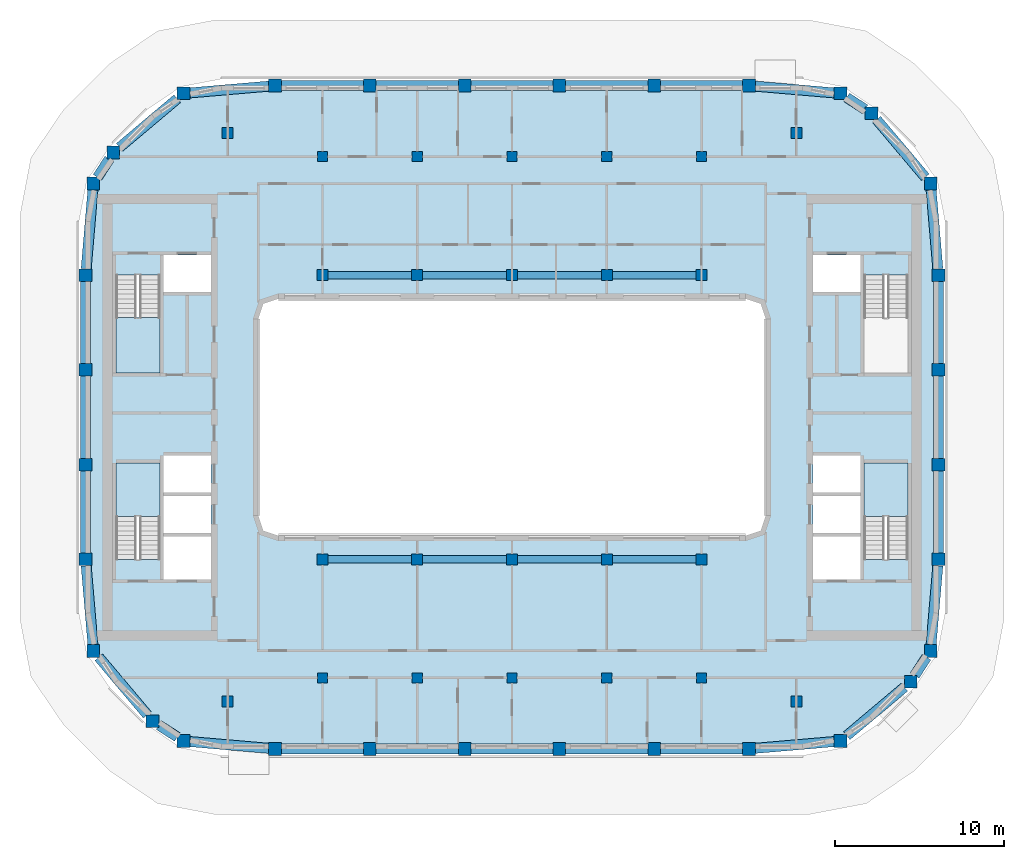
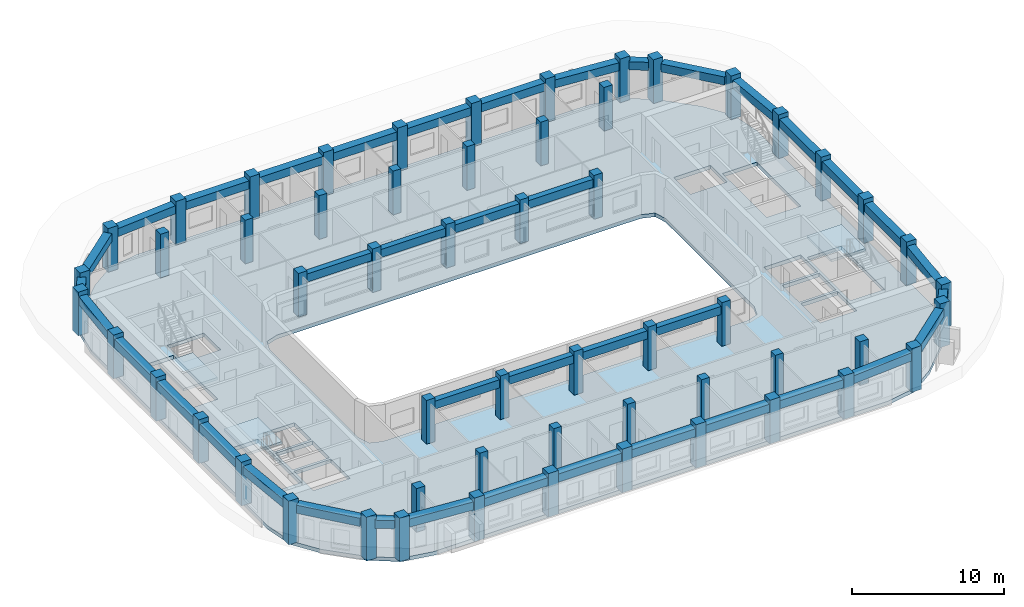
# One storey, part 1 of 14: 56 columns, 40 beams, 4 slabs, 3 elements without a shape of their own.
"""IFC4 building model written with IfcOpenShell, lengths in metres."""

import ifcopenshell
import ifcopenshell.guid

model = None  # the IFC model being written
_history = None  # IfcOwnerHistory: only IFC2X3 demands one
_inside = {}  # id of a spatial element -> (the spatial element, [elements in it])
_under = {}  # id of a project, library or spatial element -> (it, [spatial elements below it])
_declared = {}  # id of a project -> (the project, [libraries it declares])
_typed = {}  # id of a type object -> (the type object, [elements of that type])
_made_of = {}  # id of a material, layer set ... -> (it, [elements and type objects made of it])


def new_model(schema):
    """Start an empty IFC model of exactly this schema.

    Asked for "IFC4X3", IfcOpenShell would pick the latest addendum, in which some entities
    have other attributes; the version numbers below select the first issue.
    IFC2X3 requires an IfcOwnerHistory on every rooted entity: one is made here for all.
    """
    global model, _history
    if schema == "IFC4X3":
        model = ifcopenshell.file(schema_version=(4, 3, 0, 0))
    else:
        model = ifcopenshell.file(schema=schema)
    _inside.clear()
    _under.clear()
    _declared.clear()
    _typed.clear()
    _made_of.clear()
    _history = None
    if model.schema == "IFC2X3":
        org = make("IfcOrganization", Name="unknown")
        user = make(
            "IfcPersonAndOrganization",
            ThePerson=make("IfcPerson", FamilyName="unknown"),
            TheOrganization=org,
        )
        app = make(
            "IfcApplication",
            ApplicationDeveloper=org,
            Version="unknown",
            ApplicationFullName="unknown",
            ApplicationIdentifier="unknown",
        )
        _history = make(
            "IfcOwnerHistory",
            OwningUser=user,
            OwningApplication=app,
            ChangeAction="ADDED",
            CreationDate=0,
        )
    return model


def make(cls, **values):
    """One entity of the class cls with the attributes given. An attribute that is None is left unset."""
    return model.create_entity(
        cls, **{name: value for name, value in values.items() if value is not None}
    )


def rooted(cls, **values):
    """An entity with a GlobalId (a new one), such as an element, a storey or a relation."""
    return make(cls, GlobalId=ifcopenshell.guid.new(), OwnerHistory=_history, **values)


def si_unit(unit_type, name, prefix=None):
    """IfcSIUnit, for example si_unit("LENGTHUNIT", "METRE", prefix="MILLI")."""
    return make("IfcSIUnit", UnitType=unit_type, Prefix=prefix, Name=name)


def assignment(units):
    """IfcUnitAssignment: the units of a project."""
    return None if units is None else make("IfcUnitAssignment", Units=units)


def point(xyz):
    """IfcCartesianPoint."""
    return None if xyz is None else make("IfcCartesianPoint", Coordinates=xyz)


def direction(xyz):
    """IfcDirection."""
    return None if xyz is None else make("IfcDirection", DirectionRatios=xyz)


def frame(location, z_axis=None, x_axis=None):
    """IfcAxis2Placement3D, a coordinate frame: its origin and axes. An axis left out is left unset."""
    return make(
        "IfcAxis2Placement3D",
        Location=point(location),
        Axis=direction(z_axis),
        RefDirection=direction(x_axis),
    )


def frame_2d(location, x_axis=None):
    """IfcAxis2Placement2D, a coordinate frame in the plane: its origin and x axis."""
    return make(
        "IfcAxis2Placement2D", Location=point(location), RefDirection=direction(x_axis)
    )


def origin():
    """The frame at (0, 0, 0) with its axes left unset."""
    return frame((0.0, 0.0, 0.0))


def origin_2d():
    """The frame at (0, 0) in the plane with its x axis left unset."""
    return frame_2d((0.0, 0.0))


def place(relative_to, where):
    """IfcLocalPlacement: puts the frame where relative to a parent placement (None: the world)."""
    return make(
        "IfcLocalPlacement", PlacementRelTo=relative_to, RelativePlacement=where
    )


def context(
    kind, dimensions, precision=None, world=None, true_north=None, identifier=None
):
    """IfcGeometricRepresentationContext, for example the 3D "Model" context."""
    return make(
        "IfcGeometricRepresentationContext",
        ContextIdentifier=identifier,
        ContextType=kind,
        CoordinateSpaceDimension=dimensions,
        Precision=precision,
        WorldCoordinateSystem=world,
        TrueNorth=true_north,
    )


def subcontext(parent, identifier, kind, view, scale=None):
    """IfcGeometricRepresentationSubContext, for example "Body" below "Model"."""
    return make(
        "IfcGeometricRepresentationSubContext",
        ContextIdentifier=identifier,
        ContextType=kind,
        ParentContext=parent,
        TargetScale=scale,
        TargetView=view,
    )


def project(units=None, contexts=None):
    """IfcProject with its units and contexts."""
    return rooted(
        "IfcProject",
        Name="project",
        RepresentationContexts=contexts,
        UnitsInContext=assignment(units),
    )


def spatial(cls, under=None, at=None, **own):
    """A site, building, storey or space (cls), placed at a placement, below another one or the project."""
    s = rooted(cls, ObjectPlacement=at, **own)
    if under is not None:
        _under.setdefault(under.id(), (under, []))[1].append(s)
    return s


def polyline(points):
    """IfcPolyline through the points."""
    return make("IfcPolyline", Points=[point(p) for p in points])


def profile(cls, at=None, kind="AREA", **sizes):
    """A parametric profile (cls). Its sizes go by their IFC names, for example OverallWidth=200.0."""
    return make(cls, ProfileType=kind, Position=at, **sizes)


def rectangle(**sizes):
    """IfcRectangleProfileDef."""
    return profile("IfcRectangleProfileDef", **sizes)


def outline(outer, holes=None, kind="AREA"):
    """IfcArbitraryClosedProfileDef: a profile drawn as a closed curve; with holes, ...WithVoids."""
    if holes is None:
        return make("IfcArbitraryClosedProfileDef", ProfileType=kind, OuterCurve=outer)
    return make(
        "IfcArbitraryProfileDefWithVoids",
        ProfileType=kind,
        OuterCurve=outer,
        InnerCurves=holes,
    )


def extrude(swept, where, along, depth):
    """IfcExtrudedAreaSolid: the profile swept, set in the frame where, extruded along a direction by depth."""
    return make(
        "IfcExtrudedAreaSolid",
        SweptArea=swept,
        Position=where,
        ExtrudedDirection=direction(along),
        Depth=depth,
    )


def shape(context_of_items, identifier, shape_type, items):
    """IfcShapeRepresentation: the items that make up one representation, for example the "Body"."""
    return make(
        "IfcShapeRepresentation",
        ContextOfItems=context_of_items,
        RepresentationIdentifier=identifier,
        RepresentationType=shape_type,
        Items=items,
    )


def material(Name=None, Category=None):
    """IfcMaterial."""
    return make("IfcMaterial", Name=Name, Category=Category)


def layer(
    of_material, thickness, ventilated=None, Name=None, Category=None, Priority=None
):
    """IfcMaterialLayer: one layer of a wall or slab, of a material (None: an air gap)."""
    return make(
        "IfcMaterialLayer",
        Material=of_material,
        LayerThickness=thickness,
        IsVentilated=ventilated,
        Name=Name,
        Category=Category,
        Priority=Priority,
    )


def layer_set(layers, Name=None):
    """IfcMaterialLayerSet."""
    return make("IfcMaterialLayerSet", MaterialLayers=layers, LayerSetName=Name)


def material_profile(
    of_material, cross_section, Name=None, Category=None, Priority=None
):
    """IfcMaterialProfile: a cross section and its material."""
    return make(
        "IfcMaterialProfile",
        Name=Name,
        Material=of_material,
        Profile=cross_section,
        Priority=Priority,
        Category=Category,
    )


def profile_set(profiles, Name=None, composite=None):
    """IfcMaterialProfileSet."""
    return make(
        "IfcMaterialProfileSet",
        Name=Name,
        MaterialProfiles=profiles,
        CompositeProfile=composite,
    )


def made_of(thing, what):
    """Note that an element or type object is made of a material, layer set ...; save() writes the relation."""
    if what is not None:
        _made_of.setdefault(what.id(), (what, []))[1].append(thing)
    return thing


def type_object(cls, material=None, **own):
    """A type object (cls), such as IfcWallType, which elements share."""
    return made_of(rooted(cls, **own), material)


def element(
    cls,
    number,
    at=None,
    inside=None,
    cuts=None,
    type_object=None,
    material=None,
    context=None,
    identifier="Body",
    shape_type=None,
    held_by="IfcProductDefinitionShape",
    body=None,
    shapes=None,
    **own,
):
    """One element of the class cls, such as IfcWall. Its Tag is "e" and its number.

    at: its placement. inside: the storey or other place that contains it. cuts: it is an
    opening in that element (IfcRelVoidsElement). A single representation is given by context,
    identifier, shape_type and body (its items); several are given by shapes. held_by: the class
    of the entity that holds the representations. save() writes the other relations.
    """
    e = rooted(cls, Tag="e%d" % number, ObjectPlacement=at, **own)
    if body is not None:
        shapes = [shape(context, identifier, shape_type, body)]
    if shapes is not None:
        e.Representation = make(held_by, Representations=shapes)
    if inside is not None:
        _inside.setdefault(inside.id(), (inside, []))[1].append(e)
    if cuts is not None:
        rooted(
            "IfcRelVoidsElement", RelatingBuildingElement=cuts, RelatedOpeningElement=e
        )
    if type_object is not None:
        _typed.setdefault(type_object.id(), (type_object, []))[1].append(e)
    return made_of(e, material)


def aggregate(whole, parts):
    """IfcRelAggregates: a whole, such as a stair, and the parts it consists of."""
    return rooted("IfcRelAggregates", RelatingObject=whole, RelatedObjects=parts)


def save(model, path):
    """Write the relations noted so far, then the file.

    IfcRelAggregates (storeys below a building ...), IfcRelContainedInSpatialStructure (elements
    in a storey), IfcRelDefinesByType, IfcRelAssociatesMaterial and IfcRelDeclares: one each for
    every whole, place, type object, material and project.
    """
    for whole, parts in _under.values():
        aggregate(whole, parts)
    for where, things in _inside.values():
        rooted(
            "IfcRelContainedInSpatialStructure",
            RelatedElements=things,
            RelatingStructure=where,
        )
    for kind, things in _typed.values():
        rooted("IfcRelDefinesByType", RelatedObjects=things, RelatingType=kind)
    for what, things in _made_of.values():
        rooted("IfcRelAssociatesMaterial", RelatedObjects=things, RelatingMaterial=what)
    for by, libraries in _declared.values():
        rooted("IfcRelDeclares", RelatingContext=by, RelatedDefinitions=libraries)
    model.write(path)


model = new_model("IFC4")

# Units and contexts
model_context = context("Model", 3, precision=1e-05, world=origin(), true_north=direction((0.0, 1.0)))
body_context = subcontext(model_context, "Body", "Model", "MODEL_VIEW")
ifc_project = project(units=[si_unit("LENGTHUNIT", "METRE"), si_unit("AREAUNIT", "SQUARE_METRE"), si_unit("VOLUMEUNIT", "CUBIC_METRE"), si_unit("PLANEANGLEUNIT", "RADIAN"), si_unit("MASSUNIT", "GRAM", prefix="KILO")], contexts=[model_context])

# Site, building, storey
site_placement = place(None, origin())
site = spatial("IfcSite", under=ifc_project, at=site_placement, CompositionType="ELEMENT")
building_placement = place(site_placement, origin())
building = spatial("IfcBuilding", under=site, at=building_placement, Name="Kiln Ring Residences", CompositionType="ELEMENT")
storey_placement = place(building_placement, frame((0.0, 0.0, 280.199951171875)))
storey = spatial("IfcBuildingStorey", under=building, at=storey_placement, Name="L73", CompositionType="ELEMENT", Elevation=280.199951171875)

# Columns
ifc_material_1 = material(Name="Concrete C60/75", Category="concrete")
ifc_material_profile_1 = material_profile(ifc_material_1, rectangle(XDim=0.60009765625, YDim=0.60009765625, at=origin_2d()), Name="RC600x600")
ifc_profile_set_1 = profile_set([ifc_material_profile_1], Name="Concrete C60/75")
column_type_1 = type_object("IfcColumnType", Name="Corridor column RC600x600 C60/75", PredefinedType="COLUMN", material=ifc_profile_set_1)
for number, where, z_axis, x_axis, name in (
    (1, (-11.199951171875, 15.39990234375, 0.0), (0.0, 0.0, 1.0), (1.0, 0.0, 0.0), "Corridor column L73 1"),
    (2, (-5.60009765625, 15.39990234375, 0.0), (0.0, 0.0, 1.0), (1.0, 0.0, 0.0), "Corridor column L73 2"),
    (3, (0.0, 15.39990234375, 0.0), (0.0, 0.0, 1.0), (1.0, 0.0, 0.0), "Corridor column L73 3"),
    (4, (5.60009765625, 15.39990234375, 0.0), (0.0, 0.0, 1.0), (1.0, 0.0, 0.0), "Corridor column L73 4"),
    (5, (11.199951171875, 15.39990234375, 0.0), (0.0, 0.0, 1.0), (1.0, 0.0, 0.0), "Corridor column L73 5"),
    (6, (-11.199951171875, -15.39990234375, 0.0), (0.0, 0.0, 1.0), (1.0, 0.0, 0.0), "Corridor column L73 6"),
    (7, (-5.60009765625, -15.39990234375, 0.0), (0.0, 0.0, 1.0), (1.0, 0.0, 0.0), "Corridor column L73 7"),
    (8, (0.0, -15.39990234375, 0.0), (0.0, 0.0, 1.0), (1.0, 0.0, 0.0), "Corridor column L73 8"),
    (9, (5.60009765625, -15.39990234375, 0.0), (0.0, 0.0, 1.0), (1.0, 0.0, 0.0), "Corridor column L73 9"),
    (10, (11.199951171875, -15.39990234375, 0.0), (0.0, 0.0, 1.0), (1.0, 0.0, 0.0), "Corridor column L73 10"),
):
    element("IfcColumn", number, at=place(storey_placement, frame(where, z_axis=z_axis, x_axis=x_axis)), inside=storey, type_object=column_type_1, Name=name, PredefinedType="COLUMN", context=body_context, shape_type="SweptSolid", body=[
        extrude(rectangle(XDim=0.60009765625, YDim=0.60009765625, at=origin_2d()), origin(), (0.0, 0.0, 1.0), 3.5),
    ])
ifc_material_2 = material(Name="Concrete C60/75", Category="concrete")
ifc_material_profile_2 = material_profile(ifc_material_2, rectangle(XDim=0.75, YDim=0.75, at=origin_2d()), Name="RC750x750")
ifc_profile_set_2 = profile_set([ifc_material_profile_2], Name="Concrete C60/75")
column_type_2 = type_object("IfcColumnType", Name="Perimeter column RC750x750 C60/75", PredefinedType="COLUMN", material=ifc_profile_set_2)
for number, where, z_axis, x_axis, name in (
    (11, (-19.40869140625, -19.13818359375, 0.0), (0.0, 0.0, 1.0), (1.0, 0.0, 0.0), "Perimeter column L73 1"),
    (12, (-14.0, -19.60009765625, 0.0), (0.0, 0.0, 1.0), (1.0, 0.0, 0.0), "Perimeter column L73 2"),
    (13, (-8.39990234375, -19.60009765625, 0.0), (0.0, 0.0, 1.0), (1.0, 0.0, 0.0), "Perimeter column L73 3"),
    (14, (-2.800048828125, -19.60009765625, 0.0), (0.0, 0.0, 1.0), (1.0, 0.0, 0.0), "Perimeter column L73 4"),
    (15, (2.800048828125, -19.60009765625, 0.0), (0.0, 0.0, 1.0), (1.0, 0.0, 0.0), "Perimeter column L73 5"),
    (16, (8.39990234375, -19.60009765625, 0.0), (0.0, 0.0, 1.0), (1.0, 0.0, 0.0), "Perimeter column L73 6"),
    (17, (14.0, -19.60009765625, 0.0), (0.0, 0.0, 1.0), (1.0, 0.0, 0.0), "Perimeter column L73 7"),
    (18, (19.40869140625, -19.13818359375, 0.0), (0.0, 0.0, 1.0), (1.0, 0.0, 0.0), "Perimeter column L73 8"),
    (19, (23.559814453125, -15.64013671875, 0.0), (0.0, 0.0, 1.0), (1.0, 0.0, 0.0), "Perimeter column L73 9"),
    (20, (24.738037109375, -13.80859375, 0.0), (0.0, 0.0, 1.0), (1.0, 0.0, 0.0), "Perimeter column L73 10"),
    (21, (25.199951171875, -8.39990234375, 0.0), (0.0, 0.0, 1.0), (1.0, 0.0, 0.0), "Perimeter column L73 11"),
    (22, (25.199951171875, -2.800048828125, 0.0), (0.0, 0.0, 1.0), (1.0, 0.0, 0.0), "Perimeter column L73 12"),
    (23, (25.199951171875, 2.800048828125, 0.0), (0.0, 0.0, 1.0), (1.0, 0.0, 0.0), "Perimeter column L73 13"),
    (24, (25.199951171875, 8.39990234375, 0.0), (0.0, 0.0, 1.0), (1.0, 0.0, 0.0), "Perimeter column L73 14"),
    (25, (24.738037109375, 13.80859375, 0.0), (0.0, 0.0, 1.0), (1.0, 0.0, 0.0), "Perimeter column L73 15"),
    (26, (21.240234375, 17.959716796875, 0.0), (0.0, 0.0, 1.0), (1.0, 0.0, 0.0), "Perimeter column L73 16"),
    (27, (19.40869140625, 19.13818359375, 0.0), (0.0, 0.0, 1.0), (1.0, 0.0, 0.0), "Perimeter column L73 17"),
    (28, (14.0, 19.60009765625, 0.0), (0.0, 0.0, 1.0), (1.0, 0.0, 0.0), "Perimeter column L73 18"),
    (29, (8.39990234375, 19.60009765625, 0.0), (0.0, 0.0, 1.0), (1.0, 0.0, 0.0), "Perimeter column L73 19"),
    (30, (2.800048828125, 19.60009765625, 0.0), (0.0, 0.0, 1.0), (1.0, 0.0, 0.0), "Perimeter column L73 20"),
    (31, (-2.800048828125, 19.60009765625, 0.0), (0.0, 0.0, 1.0), (1.0, 0.0, 0.0), "Perimeter column L73 21"),
    (32, (-8.39990234375, 19.60009765625, 0.0), (0.0, 0.0, 1.0), (1.0, 0.0, 0.0), "Perimeter column L73 22"),
    (33, (-14.0, 19.60009765625, 0.0), (0.0, 0.0, 1.0), (1.0, 0.0, 0.0), "Perimeter column L73 23"),
    (34, (-19.40869140625, 19.13818359375, 0.0), (0.0, 0.0, 1.0), (1.0, 0.0, 0.0), "Perimeter column L73 24"),
    (35, (-23.559814453125, 15.64013671875, 0.0), (0.0, 0.0, 1.0), (1.0, 0.0, 0.0), "Perimeter column L73 25"),
    (36, (-24.738037109375, 13.80859375, 0.0), (0.0, 0.0, 1.0), (1.0, 0.0, 0.0), "Perimeter column L73 26"),
    (37, (-25.199951171875, 8.39990234375, 0.0), (0.0, 0.0, 1.0), (1.0, 0.0, 0.0), "Perimeter column L73 27"),
    (38, (-25.199951171875, 2.800048828125, 0.0), (0.0, 0.0, 1.0), (1.0, 0.0, 0.0), "Perimeter column L73 28"),
    (39, (-25.199951171875, -2.800048828125, 0.0), (0.0, 0.0, 1.0), (1.0, 0.0, 0.0), "Perimeter column L73 29"),
    (40, (-25.199951171875, -8.39990234375, 0.0), (0.0, 0.0, 1.0), (1.0, 0.0, 0.0), "Perimeter column L73 30"),
    (41, (-24.738037109375, -13.80859375, 0.0), (0.0, 0.0, 1.0), (1.0, 0.0, 0.0), "Perimeter column L73 31"),
    (42, (-21.240234375, -17.959716796875, 0.0), (0.0, 0.0, 1.0), (1.0, 0.0, 0.0), "Perimeter column L73 32"),
):
    element("IfcColumn", number, at=place(storey_placement, frame(where, z_axis=z_axis, x_axis=x_axis)), inside=storey, type_object=column_type_2, Name=name, PredefinedType="COLUMN", context=body_context, shape_type="SweptSolid", body=[
        extrude(rectangle(XDim=0.75, YDim=0.75, at=origin_2d()), origin(), (0.0, 0.0, 1.0), 3.5),
    ])
ifc_material_3 = material(Name="Concrete C60/75", Category="concrete")
ifc_material_profile_3 = material_profile(ifc_material_3, rectangle(XDim=0.64990234375, YDim=0.64990234375, at=origin_2d()), Name="RC650x650")
ifc_profile_set_3 = profile_set([ifc_material_profile_3], Name="Concrete C60/75")
column_type_3 = type_object("IfcColumnType", Name="Ring column RC650x650 C60/75", PredefinedType="COLUMN", material=ifc_profile_set_3)
for number, where, z_axis, x_axis, name in (
    (43, (-16.800048828125, -16.800048828125, 0.0), (0.0, 0.0, 1.0), (1.0, 0.0, 0.0), "Ring column L73 1"),
    (44, (-16.800048828125, 16.800048828125, 0.0), (0.0, 0.0, 1.0), (1.0, 0.0, 0.0), "Ring column L73 2"),
    (45, (-11.199951171875, -8.39990234375, 0.0), (0.0, 0.0, 1.0), (1.0, 0.0, 0.0), "Ring column L73 3"),
    (46, (-11.199951171875, 8.39990234375, 0.0), (0.0, 0.0, 1.0), (1.0, 0.0, 0.0), "Ring column L73 4"),
    (47, (-5.60009765625, -8.39990234375, 0.0), (0.0, 0.0, 1.0), (1.0, 0.0, 0.0), "Ring column L73 5"),
    (48, (-5.60009765625, 8.39990234375, 0.0), (0.0, 0.0, 1.0), (1.0, 0.0, 0.0), "Ring column L73 6"),
    (49, (0.0, -8.39990234375, 0.0), (0.0, 0.0, 1.0), (1.0, 0.0, 0.0), "Ring column L73 7"),
    (50, (0.0, 8.39990234375, 0.0), (0.0, 0.0, 1.0), (1.0, 0.0, 0.0), "Ring column L73 8"),
    (51, (5.60009765625, -8.39990234375, 0.0), (0.0, 0.0, 1.0), (1.0, 0.0, 0.0), "Ring column L73 9"),
    (52, (5.60009765625, 8.39990234375, 0.0), (0.0, 0.0, 1.0), (1.0, 0.0, 0.0), "Ring column L73 10"),
    (53, (11.199951171875, -8.39990234375, 0.0), (0.0, 0.0, 1.0), (1.0, 0.0, 0.0), "Ring column L73 11"),
    (54, (11.199951171875, 8.39990234375, 0.0), (0.0, 0.0, 1.0), (1.0, 0.0, 0.0), "Ring column L73 12"),
    (55, (16.800048828125, -16.800048828125, 0.0), (0.0, 0.0, 1.0), (1.0, 0.0, 0.0), "Ring column L73 13"),
    (56, (16.800048828125, 16.800048828125, 0.0), (0.0, 0.0, 1.0), (1.0, 0.0, 0.0), "Ring column L73 14"),
):
    element("IfcColumn", number, at=place(storey_placement, frame(where, z_axis=z_axis, x_axis=x_axis)), inside=storey, type_object=column_type_3, Name=name, PredefinedType="COLUMN", context=body_context, shape_type="SweptSolid", body=[
        extrude(rectangle(XDim=0.64990234375, YDim=0.64990234375, at=origin_2d()), origin(), (0.0, 0.0, 1.0), 3.5),
    ])

# Beams
ifc_material_4 = material(Name="Concrete C50/60", Category="concrete")
ifc_material_profile_4 = material_profile(ifc_material_4, rectangle(XDim=0.449951171875, YDim=0.64990234375, at=origin_2d()), Name="RC450x650")
ifc_profile_set_4 = profile_set([ifc_material_profile_4], Name="Concrete C50/60")
beam_type_1 = type_object("IfcBeamType", Name="Ring beam RC450x650 C50/60", PredefinedType="BEAM", material=ifc_profile_set_4)
for number, where, z_axis, x_axis, name in (
    (57, (-10.875, -8.39990234375, 2.824951171875), (1.0, 0.0, 0.0), (0.0, 1.0, 0.0), "Ring beam L73 1"),
    (58, (-5.27490234375, -8.39990234375, 2.824951171875), (1.0, 0.0, 0.0), (0.0, 1.0, 0.0), "Ring beam L73 2"),
    (59, (0.324951171875, -8.39990234375, 2.824951171875), (1.0, 0.0, 0.0), (0.0, 1.0, 0.0), "Ring beam L73 3"),
    (60, (5.925048828125, -8.39990234375, 2.824951171875), (1.0, 0.0, 0.0), (0.0, 1.0, 0.0), "Ring beam L73 4"),
    (61, (-10.875, 8.39990234375, 2.824951171875), (1.0, 0.0, 0.0), (0.0, 1.0, 0.0), "Ring beam L73 5"),
    (62, (-5.27490234375, 8.39990234375, 2.824951171875), (1.0, 0.0, 0.0), (0.0, 1.0, 0.0), "Ring beam L73 6"),
    (63, (0.324951171875, 8.39990234375, 2.824951171875), (1.0, 0.0, 0.0), (0.0, 1.0, 0.0), "Ring beam L73 7"),
    (64, (5.925048828125, 8.39990234375, 2.824951171875), (1.0, 0.0, 0.0), (0.0, 1.0, 0.0), "Ring beam L73 8"),
):
    element("IfcBeam", number, at=place(storey_placement, frame(where, z_axis=z_axis, x_axis=x_axis)), inside=storey, type_object=beam_type_1, Name=name, PredefinedType="BEAM", context=body_context, shape_type="SweptSolid", body=[
        extrude(rectangle(XDim=0.449951171875, YDim=0.64990234375, at=origin_2d()), origin(), (0.0, 0.0, 1.0), 4.949951171875),
    ])
ifc_material_5 = material(Name="Concrete C50/60", Category="concrete")
ifc_material_profile_5 = material_profile(ifc_material_5, rectangle(XDim=0.60009765625, YDim=0.64990234375, at=origin_2d()), Name="RC600x650")
ifc_profile_set_5 = profile_set([ifc_material_profile_5], Name="Concrete C50/60")
beam_type_2 = type_object("IfcBeamType", Name="Spandrel beam RC600x650 C50/60", PredefinedType="SPANDREL", material=ifc_profile_set_5)
beam_1_placement = place(storey_placement, frame((-19.03369140625, -19.170166015625, 2.824951171875), z_axis=(0.996375913916, -0.085059027553, 0.0), x_axis=(0.085059027553, 0.996375913916, 0.0)))
element("IfcBeam", 65, at=beam_1_placement, inside=storey, type_object=beam_type_2, Name="Spandrel beam L73 1", PredefinedType="SPANDREL", context=body_context, shape_type="SweptSolid", body=[
    extrude(rectangle(XDim=0.60009765625, YDim=0.64990234375, at=origin_2d()), origin(), (0.0, 0.0, 1.0), 4.675537109375),
])
beam_2_placement = place(storey_placement, frame((-13.625, -19.60009765625, 2.824951171875), z_axis=(1.0, 0.0, 0.0), x_axis=(0.0, 1.0, 0.0)))
element("IfcBeam", 66, at=beam_2_placement, inside=storey, type_object=beam_type_2, Name="Spandrel beam L73 2", PredefinedType="SPANDREL", context=body_context, shape_type="SweptSolid", body=[
    extrude(rectangle(XDim=0.60009765625, YDim=0.64990234375, at=origin_2d()), origin(), (0.0, 0.0, 1.0), 4.85009765625),
])
beam_3_placement = place(storey_placement, frame((-8.02490234375, -19.60009765625, 2.824951171875), z_axis=(1.0, 0.0, 0.0), x_axis=(0.0, 1.0, 0.0)))
element("IfcBeam", 67, at=beam_3_placement, inside=storey, type_object=beam_type_2, Name="Spandrel beam L73 3", PredefinedType="SPANDREL", context=body_context, shape_type="SweptSolid", body=[
    extrude(rectangle(XDim=0.60009765625, YDim=0.64990234375, at=origin_2d()), origin(), (0.0, 0.0, 1.0), 4.849853515625),
])
beam_4_placement = place(storey_placement, frame((-2.425048828125, -19.60009765625, 2.824951171875), z_axis=(1.0, 0.0, 0.0), x_axis=(0.0, 1.0, 0.0)))
element("IfcBeam", 68, at=beam_4_placement, inside=storey, type_object=beam_type_2, Name="Spandrel beam L73 4", PredefinedType="SPANDREL", context=body_context, shape_type="SweptSolid", body=[
    extrude(rectangle(XDim=0.60009765625, YDim=0.64990234375, at=origin_2d()), origin(), (0.0, 0.0, 1.0), 4.85009765625),
])
beam_5_placement = place(storey_placement, frame((3.175048828125, -19.60009765625, 2.824951171875), z_axis=(1.0, 0.0, 0.0), x_axis=(0.0, 1.0, 0.0)))
element("IfcBeam", 69, at=beam_5_placement, inside=storey, type_object=beam_type_2, Name="Spandrel beam L73 5", PredefinedType="SPANDREL", context=body_context, shape_type="SweptSolid", body=[
    extrude(rectangle(XDim=0.60009765625, YDim=0.64990234375, at=origin_2d()), origin(), (0.0, 0.0, 1.0), 4.849853515625),
])
beam_6_placement = place(storey_placement, frame((8.77490234375, -19.60009765625, 2.824951171875), z_axis=(1.0, 0.0, 0.0), x_axis=(0.0, 1.0, 0.0)))
element("IfcBeam", 70, at=beam_6_placement, inside=storey, type_object=beam_type_2, Name="Spandrel beam L73 6", PredefinedType="SPANDREL", context=body_context, shape_type="SweptSolid", body=[
    extrude(rectangle(XDim=0.60009765625, YDim=0.64990234375, at=origin_2d()), origin(), (0.0, 0.0, 1.0), 4.85009765625),
])
beam_7_placement = place(storey_placement, frame((14.375, -19.56787109375, 2.824951171875), z_axis=(0.996375913916, 0.085059027553, 0.0), x_axis=(-0.085059027553, 0.996375913916, 0.0)))
element("IfcBeam", 71, at=beam_7_placement, inside=storey, type_object=beam_type_2, Name="Spandrel beam L73 7", PredefinedType="SPANDREL", context=body_context, shape_type="SweptSolid", body=[
    extrude(rectangle(XDim=0.60009765625, YDim=0.64990234375, at=origin_2d()), origin(), (0.0, 0.0, 1.0), 4.675537109375),
])
beam_8_placement = place(storey_placement, frame((19.78369140625, -18.822021484375, 2.824951171875), z_axis=(0.764731805725, 0.644348714062, 0.0), x_axis=(-0.644348714062, 0.764731805725, 0.0)))
element("IfcBeam", 72, at=beam_8_placement, inside=storey, type_object=beam_type_2, Name="Spandrel beam L73 8", PredefinedType="SPANDREL", context=body_context, shape_type="SweptSolid", body=[
    extrude(rectangle(XDim=0.60009765625, YDim=0.64990234375, at=origin_2d()), origin(), (0.0, 0.0, 1.0), 4.447509765625),
])
beam_9_placement = place(storey_placement, frame((23.801025390625, -15.26513671875, 2.824951171875), z_axis=(0.541045404444, 0.840993383048, 0.0), x_axis=(-0.840993383048, 0.541045404444, 0.0)))
element("IfcBeam", 73, at=beam_9_placement, inside=storey, type_object=beam_type_2, Name="Spandrel beam L73 9", PredefinedType="SPANDREL", context=body_context, shape_type="SweptSolid", body=[
    extrude(rectangle(XDim=0.60009765625, YDim=0.64990234375, at=origin_2d()), origin(), (0.0, 0.0, 1.0), 1.2861328125),
])
beam_10_placement = place(storey_placement, frame((24.77001953125, -13.43359375, 2.824951171875), z_axis=(0.085110864913, 0.996371487285, 0.0), x_axis=(-0.996371487285, 0.085110864913, 0.0)))
element("IfcBeam", 74, at=beam_10_placement, inside=storey, type_object=beam_type_2, Name="Spandrel beam L73 10", PredefinedType="SPANDREL", context=body_context, shape_type="SweptSolid", body=[
    extrude(rectangle(XDim=0.60009765625, YDim=0.64990234375, at=origin_2d()), origin(), (0.0, 0.0, 1.0), 4.675537109375),
])
beam_11_placement = place(storey_placement, frame((25.199951171875, -8.02490234375, 2.824951171875), z_axis=(0.0, 1.0, 0.0), x_axis=(-1.0, 0.0, 0.0)))
element("IfcBeam", 75, at=beam_11_placement, inside=storey, type_object=beam_type_2, Name="Spandrel beam L73 11", PredefinedType="SPANDREL", context=body_context, shape_type="SweptSolid", body=[
    extrude(rectangle(XDim=0.60009765625, YDim=0.64990234375, at=origin_2d()), origin(), (0.0, 0.0, 1.0), 4.849853515625),
])
beam_12_placement = place(storey_placement, frame((25.199951171875, -2.425048828125, 2.824951171875), z_axis=(0.0, 1.0, 0.0), x_axis=(-1.0, 0.0, 0.0)))
element("IfcBeam", 76, at=beam_12_placement, inside=storey, type_object=beam_type_2, Name="Spandrel beam L73 12", PredefinedType="SPANDREL", context=body_context, shape_type="SweptSolid", body=[
    extrude(rectangle(XDim=0.60009765625, YDim=0.64990234375, at=origin_2d()), origin(), (0.0, 0.0, 1.0), 4.85009765625),
])
beam_13_placement = place(storey_placement, frame((25.199951171875, 3.175048828125, 2.824951171875), z_axis=(0.0, 1.0, 0.0), x_axis=(-1.0, 0.0, 0.0)))
element("IfcBeam", 77, at=beam_13_placement, inside=storey, type_object=beam_type_2, Name="Spandrel beam L73 13", PredefinedType="SPANDREL", context=body_context, shape_type="SweptSolid", body=[
    extrude(rectangle(XDim=0.60009765625, YDim=0.64990234375, at=origin_2d()), origin(), (0.0, 0.0, 1.0), 4.849853515625),
])
beam_14_placement = place(storey_placement, frame((25.16796875, 8.77490234375, 2.824951171875), z_axis=(-0.085110864913, 0.996371487285, 0.0), x_axis=(-0.996371487285, -0.085110864913, 0.0)))
element("IfcBeam", 78, at=beam_14_placement, inside=storey, type_object=beam_type_2, Name="Spandrel beam L73 14", PredefinedType="SPANDREL", context=body_context, shape_type="SweptSolid", body=[
    extrude(rectangle(XDim=0.60009765625, YDim=0.64990234375, at=origin_2d()), origin(), (0.0, 0.0, 1.0), 4.675537109375),
])
beam_15_placement = place(storey_placement, frame((24.422119140625, 14.18359375, 2.824951171875), z_axis=(-0.644380815325, 0.764704756648, 0.0), x_axis=(-0.764704756648, -0.644380815325, 0.0)))
element("IfcBeam", 79, at=beam_15_placement, inside=storey, type_object=beam_type_2, Name="Spandrel beam L73 15", PredefinedType="SPANDREL", context=body_context, shape_type="SweptSolid", body=[
    extrude(rectangle(XDim=0.60009765625, YDim=0.64990234375, at=origin_2d()), origin(), (0.0, 0.0, 1.0), 4.447509765625),
])
beam_16_placement = place(storey_placement, frame((20.865234375, 18.201171875, 2.824951171875), z_axis=(-0.841079761586, 0.540911115295, 0.0), x_axis=(-0.540911115295, -0.841079761586, 0.0)))
element("IfcBeam", 80, at=beam_16_placement, inside=storey, type_object=beam_type_2, Name="Spandrel beam L73 16", PredefinedType="SPANDREL", context=body_context, shape_type="SweptSolid", body=[
    extrude(rectangle(XDim=0.60009765625, YDim=0.64990234375, at=origin_2d()), origin(), (0.0, 0.0, 1.0), 1.285888671875),
])
beam_17_placement = place(storey_placement, frame((19.03369140625, 19.170166015625, 2.824951171875), z_axis=(-0.996375913916, 0.085059027553, 0.0), x_axis=(-0.085059027553, -0.996375913916, 0.0)))
element("IfcBeam", 81, at=beam_17_placement, inside=storey, type_object=beam_type_2, Name="Spandrel beam L73 17", PredefinedType="SPANDREL", context=body_context, shape_type="SweptSolid", body=[
    extrude(rectangle(XDim=0.60009765625, YDim=0.64990234375, at=origin_2d()), origin(), (0.0, 0.0, 1.0), 4.675537109375),
])
beam_18_placement = place(storey_placement, frame((13.625, 19.60009765625, 2.824951171875), z_axis=(-1.0, 0.0, 0.0), x_axis=(0.0, -1.0, 0.0)))
element("IfcBeam", 82, at=beam_18_placement, inside=storey, type_object=beam_type_2, Name="Spandrel beam L73 18", PredefinedType="SPANDREL", context=body_context, shape_type="SweptSolid", body=[
    extrude(rectangle(XDim=0.60009765625, YDim=0.64990234375, at=origin_2d()), origin(), (0.0, 0.0, 1.0), 4.85009765625),
])
beam_19_placement = place(storey_placement, frame((8.02490234375, 19.60009765625, 2.824951171875), z_axis=(-1.0, 0.0, 0.0), x_axis=(0.0, -1.0, 0.0)))
element("IfcBeam", 83, at=beam_19_placement, inside=storey, type_object=beam_type_2, Name="Spandrel beam L73 19", PredefinedType="SPANDREL", context=body_context, shape_type="SweptSolid", body=[
    extrude(rectangle(XDim=0.60009765625, YDim=0.64990234375, at=origin_2d()), origin(), (0.0, 0.0, 1.0), 4.849853515625),
])
beam_20_placement = place(storey_placement, frame((2.425048828125, 19.60009765625, 2.824951171875), z_axis=(-1.0, 0.0, 0.0), x_axis=(0.0, -1.0, 0.0)))
element("IfcBeam", 84, at=beam_20_placement, inside=storey, type_object=beam_type_2, Name="Spandrel beam L73 20", PredefinedType="SPANDREL", context=body_context, shape_type="SweptSolid", body=[
    extrude(rectangle(XDim=0.60009765625, YDim=0.64990234375, at=origin_2d()), origin(), (0.0, 0.0, 1.0), 4.85009765625),
])
beam_21_placement = place(storey_placement, frame((-3.175048828125, 19.60009765625, 2.824951171875), z_axis=(-1.0, 0.0, 0.0), x_axis=(0.0, -1.0, 0.0)))
element("IfcBeam", 85, at=beam_21_placement, inside=storey, type_object=beam_type_2, Name="Spandrel beam L73 21", PredefinedType="SPANDREL", context=body_context, shape_type="SweptSolid", body=[
    extrude(rectangle(XDim=0.60009765625, YDim=0.64990234375, at=origin_2d()), origin(), (0.0, 0.0, 1.0), 4.849853515625),
])
beam_22_placement = place(storey_placement, frame((-8.77490234375, 19.60009765625, 2.824951171875), z_axis=(-1.0, 0.0, 0.0), x_axis=(0.0, -1.0, 0.0)))
element("IfcBeam", 86, at=beam_22_placement, inside=storey, type_object=beam_type_2, Name="Spandrel beam L73 22", PredefinedType="SPANDREL", context=body_context, shape_type="SweptSolid", body=[
    extrude(rectangle(XDim=0.60009765625, YDim=0.64990234375, at=origin_2d()), origin(), (0.0, 0.0, 1.0), 4.85009765625),
])
beam_23_placement = place(storey_placement, frame((-14.375, 19.56787109375, 2.824951171875), z_axis=(-0.996375913916, -0.085059027553, 0.0), x_axis=(0.085059027553, -0.996375913916, 0.0)))
element("IfcBeam", 87, at=beam_23_placement, inside=storey, type_object=beam_type_2, Name="Spandrel beam L73 23", PredefinedType="SPANDREL", context=body_context, shape_type="SweptSolid", body=[
    extrude(rectangle(XDim=0.60009765625, YDim=0.64990234375, at=origin_2d()), origin(), (0.0, 0.0, 1.0), 4.675537109375),
])
beam_24_placement = place(storey_placement, frame((-19.78369140625, 18.822021484375, 2.824951171875), z_axis=(-0.764731805725, -0.644348714062, 0.0), x_axis=(0.644348714062, -0.764731805725, 0.0)))
element("IfcBeam", 88, at=beam_24_placement, inside=storey, type_object=beam_type_2, Name="Spandrel beam L73 24", PredefinedType="SPANDREL", context=body_context, shape_type="SweptSolid", body=[
    extrude(rectangle(XDim=0.60009765625, YDim=0.64990234375, at=origin_2d()), origin(), (0.0, 0.0, 1.0), 4.447509765625),
])
beam_25_placement = place(storey_placement, frame((-23.801025390625, 15.26513671875, 2.824951171875), z_axis=(-0.541045404444, -0.840993383048, 0.0), x_axis=(0.840993383048, -0.541045404444, 0.0)))
element("IfcBeam", 89, at=beam_25_placement, inside=storey, type_object=beam_type_2, Name="Spandrel beam L73 25", PredefinedType="SPANDREL", context=body_context, shape_type="SweptSolid", body=[
    extrude(rectangle(XDim=0.60009765625, YDim=0.64990234375, at=origin_2d()), origin(), (0.0, 0.0, 1.0), 1.2861328125),
])
beam_26_placement = place(storey_placement, frame((-24.77001953125, 13.43359375, 2.824951171875), z_axis=(-0.085110864913, -0.996371487285, 0.0), x_axis=(0.996371487285, -0.085110864913, 0.0)))
element("IfcBeam", 90, at=beam_26_placement, inside=storey, type_object=beam_type_2, Name="Spandrel beam L73 26", PredefinedType="SPANDREL", context=body_context, shape_type="SweptSolid", body=[
    extrude(rectangle(XDim=0.60009765625, YDim=0.64990234375, at=origin_2d()), origin(), (0.0, 0.0, 1.0), 4.675537109375),
])
beam_27_placement = place(storey_placement, frame((-25.199951171875, 8.02490234375, 2.824951171875), z_axis=(0.0, -1.0, 0.0), x_axis=(1.0, 0.0, 0.0)))
element("IfcBeam", 91, at=beam_27_placement, inside=storey, type_object=beam_type_2, Name="Spandrel beam L73 27", PredefinedType="SPANDREL", context=body_context, shape_type="SweptSolid", body=[
    extrude(rectangle(XDim=0.60009765625, YDim=0.64990234375, at=origin_2d()), origin(), (0.0, 0.0, 1.0), 4.849853515625),
])
beam_28_placement = place(storey_placement, frame((-25.199951171875, 2.425048828125, 2.824951171875), z_axis=(0.0, -1.0, 0.0), x_axis=(1.0, 0.0, 0.0)))
element("IfcBeam", 92, at=beam_28_placement, inside=storey, type_object=beam_type_2, Name="Spandrel beam L73 28", PredefinedType="SPANDREL", context=body_context, shape_type="SweptSolid", body=[
    extrude(rectangle(XDim=0.60009765625, YDim=0.64990234375, at=origin_2d()), origin(), (0.0, 0.0, 1.0), 4.85009765625),
])
beam_29_placement = place(storey_placement, frame((-25.199951171875, -3.175048828125, 2.824951171875), z_axis=(0.0, -1.0, 0.0), x_axis=(1.0, 0.0, 0.0)))
element("IfcBeam", 93, at=beam_29_placement, inside=storey, type_object=beam_type_2, Name="Spandrel beam L73 29", PredefinedType="SPANDREL", context=body_context, shape_type="SweptSolid", body=[
    extrude(rectangle(XDim=0.60009765625, YDim=0.64990234375, at=origin_2d()), origin(), (0.0, 0.0, 1.0), 4.849853515625),
])
beam_30_placement = place(storey_placement, frame((-25.16796875, -8.77490234375, 2.824951171875), z_axis=(0.085110864913, -0.996371487285, 0.0), x_axis=(0.996371487285, 0.085110864913, 0.0)))
element("IfcBeam", 94, at=beam_30_placement, inside=storey, type_object=beam_type_2, Name="Spandrel beam L73 30", PredefinedType="SPANDREL", context=body_context, shape_type="SweptSolid", body=[
    extrude(rectangle(XDim=0.60009765625, YDim=0.64990234375, at=origin_2d()), origin(), (0.0, 0.0, 1.0), 4.675537109375),
])
beam_31_placement = place(storey_placement, frame((-24.422119140625, -14.18359375, 2.824951171875), z_axis=(0.644380815325, -0.764704756648, 0.0), x_axis=(0.764704756648, 0.644380815325, 0.0)))
element("IfcBeam", 95, at=beam_31_placement, inside=storey, type_object=beam_type_2, Name="Spandrel beam L73 31", PredefinedType="SPANDREL", context=body_context, shape_type="SweptSolid", body=[
    extrude(rectangle(XDim=0.60009765625, YDim=0.64990234375, at=origin_2d()), origin(), (0.0, 0.0, 1.0), 4.447509765625),
])
beam_32_placement = place(storey_placement, frame((-20.865234375, -18.201171875, 2.824951171875), z_axis=(0.841079761586, -0.540911115295, 0.0), x_axis=(0.540911115295, 0.841079761586, 0.0)))
element("IfcBeam", 96, at=beam_32_placement, inside=storey, type_object=beam_type_2, Name="Spandrel beam L73 32", PredefinedType="SPANDREL", context=body_context, shape_type="SweptSolid", body=[
    extrude(rectangle(XDim=0.60009765625, YDim=0.64990234375, at=origin_2d()), origin(), (0.0, 0.0, 1.0), 1.285888671875),
])

# Stair, slab
ifc_material_6 = material(Name="Concrete C40/50", Category="concrete")
stair_type = type_object("IfcStairType", Name="CORE-STAIR", PredefinedType="HALF_TURN_STAIR", material=ifc_material_6)
placement_1 = place(storey_placement, origin())
stair_1 = element("IfcStair", 97, at=placement_1, inside=storey, type_object=stair_type, Name="L73 stair W-STN", PredefinedType="HALF_TURN_STAIR")
ifc_material_7 = material(Name="Concrete C40/50", Category="concrete")
ifc_layer_1 = layer(ifc_material_7, 0.199951171875)
ifc_layer_set_1 = layer_set([ifc_layer_1], Name="CORE-STAIR-LANDING")
slab_type_1 = type_object("IfcSlabType", Name="CORE-STAIR-LANDING", PredefinedType="LANDING", material=ifc_layer_set_1)
placement_2 = place(storey_placement, frame((0.0, 0.0, 1.550048828125)))
slab_1 = element("IfcSlab", 98, at=placement_2, type_object=slab_type_1, Name="W-STN landing 1", PredefinedType="LANDING", context=body_context, shape_type="SweptSolid", body=[
    extrude(outline(polyline([(-23.39990234375, 5.8798828125), (-23.39990234375, 2.60009765625), (-20.800048828125, 2.60009765625), (-20.800048828125, 5.8798828125), (-23.39990234375, 5.8798828125)])), origin(), (0.0, 0.0, 1.0), 0.199951171875),
])
aggregate(stair_1, [slab_1])

stair_2 = element("IfcStair", 99, at=placement_1, inside=storey, type_object=stair_type, Name="L73 stair W-STS", PredefinedType="HALF_TURN_STAIR")
slab_2 = element("IfcSlab", 100, at=placement_2, type_object=slab_type_1, Name="W-STS landing 1", PredefinedType="LANDING", context=body_context, shape_type="SweptSolid", body=[
    extrude(outline(polyline([(-20.800048828125, -5.8798828125), (-20.800048828125, -2.699951171875), (-23.39990234375, -2.699951171875), (-23.39990234375, -5.8798828125), (-20.800048828125, -5.8798828125)])), origin(), (0.0, 0.0, 1.0), 0.199951171875),
])
aggregate(stair_2, [slab_2])

stair_3 = element("IfcStair", 101, at=placement_1, inside=storey, type_object=stair_type, Name="L73 stair E-STS", PredefinedType="HALF_TURN_STAIR")
slab_3 = element("IfcSlab", 102, at=placement_2, type_object=slab_type_1, Name="E-STS landing 1", PredefinedType="LANDING", context=body_context, shape_type="SweptSolid", body=[
    extrude(outline(polyline([(23.39990234375, -5.8798828125), (23.39990234375, -2.699951171875), (20.800048828125, -2.699951171875), (20.800048828125, -5.8798828125), (23.39990234375, -5.8798828125)])), origin(), (0.0, 0.0, 1.0), 0.199951171875),
])
aggregate(stair_3, [slab_3])

# Slab
ifc_material_8 = material(Name="Concrete C40/50", Category="concrete")
ifc_layer_2 = layer(ifc_material_8, 0.300048828125)
ifc_layer_set_2 = layer_set([ifc_layer_2], Name="Floor slab 300")
slab_type_2 = type_object("IfcSlabType", Name="Floor slab 300", PredefinedType="FLOOR", material=ifc_layer_set_2)
slab_4_placement = place(storey_placement, frame((0.0, 0.0, -0.300048828125)))
element("IfcSlab", 103, at=slab_4_placement, inside=storey, type_object=slab_type_2, Name="Floor slab L73 1", PredefinedType="FLOOR", context=body_context, shape_type="SweptSolid", body=[
    extrude(outline(polyline([(-23.5029296875, -15.697021484375), (-21.297119140625, -17.90283203125), (-19.42431640625, -19.17578125), (-17.199951171875, -19.60009765625), (17.199951171875, -19.60009765625), (19.42431640625, -19.17578125), (21.297119140625, -17.90283203125), (23.5029296875, -15.697021484375), (24.775634765625, -13.82421875), (25.199951171875, -11.60009765625), (25.199951171875, 11.60009765625), (24.775634765625, 13.82421875), (23.5029296875, 15.697021484375), (21.297119140625, 17.90283203125), (19.42431640625, 19.17578125), (17.199951171875, 19.60009765625), (-17.199951171875, 19.60009765625), (-19.42431640625, 19.17578125), (-21.297119140625, 17.90283203125), (-23.5029296875, 15.697021484375), (-24.775634765625, 13.82421875), (-25.199951171875, 11.60009765625), (-25.199951171875, -11.60009765625), (-24.775634765625, -13.82421875), (-23.5029296875, -15.697021484375)]), holes=[polyline([(-14.699951171875, -6.699951171875), (-15.0, -5.800048828125), (-15.0, 5.800048828125), (-14.699951171875, 6.699951171875), (-13.800048828125, 7.0), (13.800048828125, 7.0), (14.699951171875, 6.699951171875), (15.0, 5.800048828125), (15.0, -5.800048828125), (14.699951171875, -6.699951171875), (13.800048828125, -7.0), (-13.800048828125, -7.0), (-14.699951171875, -6.699951171875)]), polyline([(20.800048828125, -8.39794921875), (20.800048828125, -2.699951171875), (23.39990234375, -2.699951171875), (23.39990234375, -8.39794921875), (20.800048828125, -8.39794921875)]), polyline([(20.800048828125, 2.60009765625), (20.800048828125, 8.39794921875), (23.39990234375, 8.39794921875), (23.39990234375, 2.60009765625), (20.800048828125, 2.60009765625)]), polyline([(17.800048828125, -6.85009765625), (17.800048828125, -4.64990234375), (20.60009765625, -4.64990234375), (20.60009765625, -6.85009765625), (17.800048828125, -6.85009765625)]), polyline([(17.800048828125, 7.39990234375), (17.800048828125, 9.60009765625), (20.60009765625, 9.60009765625), (20.60009765625, 7.39990234375), (17.800048828125, 7.39990234375)]), polyline([(20.60009765625, -9.60009765625), (17.800048828125, -9.60009765625), (17.800048828125, -7.050048828125), (20.60009765625, -7.050048828125), (20.60009765625, -9.60009765625)]), polyline([(20.60009765625, -4.449951171875), (17.800048828125, -4.449951171875), (17.800048828125, -2.25), (20.60009765625, -2.25), (20.60009765625, -4.449951171875)]), polyline([(-17.800048828125, -7.050048828125), (-17.800048828125, -9.60009765625), (-20.60009765625, -9.60009765625), (-20.60009765625, -7.050048828125), (-17.800048828125, -7.050048828125)]), polyline([(-17.800048828125, -6.85009765625), (-20.60009765625, -6.85009765625), (-20.60009765625, -4.64990234375), (-17.800048828125, -4.64990234375), (-17.800048828125, -6.85009765625)]), polyline([(-17.800048828125, -2.25), (-17.800048828125, -4.449951171875), (-20.60009765625, -4.449951171875), (-20.60009765625, -2.25), (-17.800048828125, -2.25)]), polyline([(-17.800048828125, 7.39990234375), (-20.60009765625, 7.39990234375), (-20.60009765625, 9.60009765625), (-17.800048828125, 9.60009765625), (-17.800048828125, 7.39990234375)]), polyline([(-20.800048828125, -8.39794921875), (-23.39990234375, -8.39794921875), (-23.39990234375, -2.699951171875), (-20.800048828125, -2.699951171875), (-20.800048828125, -8.39794921875)]), polyline([(-20.800048828125, 2.60009765625), (-23.39990234375, 2.60009765625), (-23.39990234375, 8.39794921875), (-20.800048828125, 8.39794921875), (-20.800048828125, 2.60009765625)])]), origin(), (0.0, 0.0, 1.0), 0.300048828125),
])

save(model, "model.ifc")
